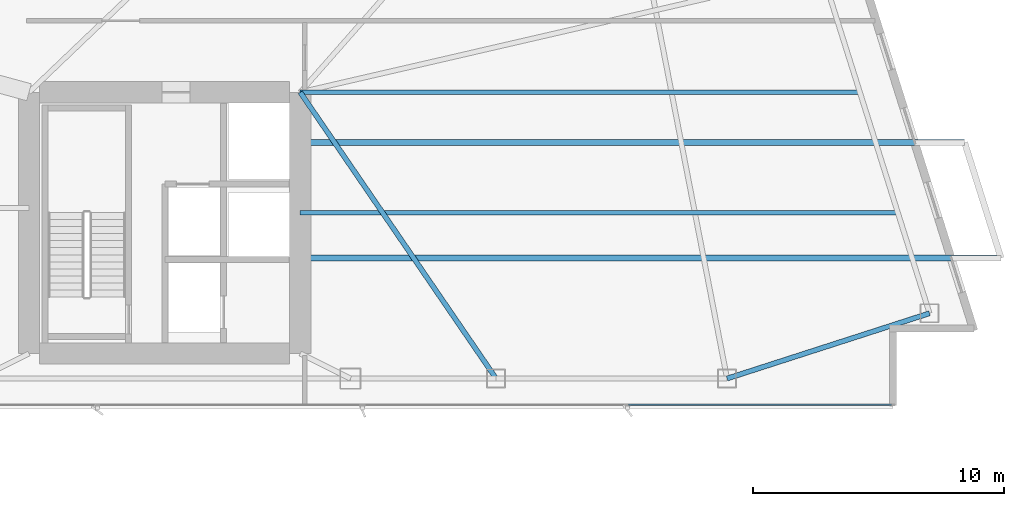
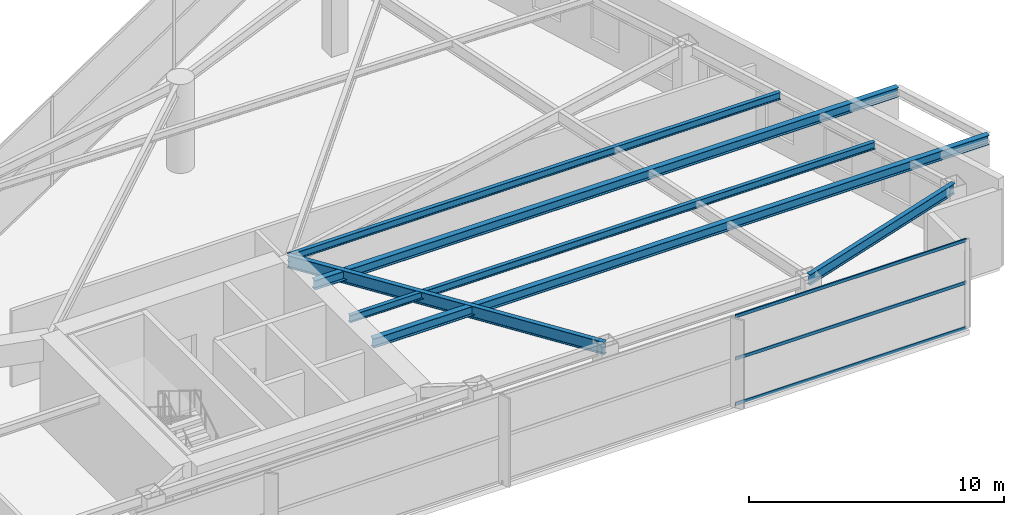
# One storey, part 12 of 26: 6 beams, 3 members, 1 element without a shape of its own.
"""IFC4 building model written with IfcOpenShell, lengths in metres."""

from ifc_helpers import new_model, si_unit, direction, frame, origin, origin_2d, place, context, subcontext, project, spatial, hollow_rectangle, i_section, extrude, material, layer, layer_set, material_profile, profile_set, type_object, element, aggregate, save


model = new_model("IFC4")

# Units and contexts
model_context = context("Model", 3, precision=1e-05, world=origin(), true_north=direction((0.0, 1.0)))
body_context = subcontext(model_context, "Body", "Model", "MODEL_VIEW")
ifc_project = project(units=[si_unit("LENGTHUNIT", "METRE"), si_unit("AREAUNIT", "SQUARE_METRE"), si_unit("VOLUMEUNIT", "CUBIC_METRE"), si_unit("PLANEANGLEUNIT", "RADIAN"), si_unit("MASSUNIT", "GRAM", prefix="KILO")], contexts=[model_context])

# Site, building, storey
site_placement = place(None, origin())
site = spatial("IfcSite", under=ifc_project, at=site_placement, CompositionType="ELEMENT")
building_placement = place(site_placement, origin())
building = spatial("IfcBuilding", under=site, at=building_placement, Name="Calvorn Quay Hotel", CompositionType="ELEMENT")
storey_placement = place(building_placement, frame((0.0, 0.0, 144.0)))
storey = spatial("IfcBuildingStorey", under=building, at=storey_placement, Name="L35", CompositionType="ELEMENT", Elevation=144.0)

# Beams
ifc_material_1 = material(Name="Steel Q355B", Category="steel")
ifc_material_profile_1 = material_profile(ifc_material_1, i_section(OverallWidth=0.25, OverallDepth=0.449951171875, WebThickness=0.011962890625, FlangeThickness=0.01611328125, FilletRadius=0.01611328125, at=origin_2d()), Name="HN450x250x12x16")
ifc_profile_set_1 = profile_set([ifc_material_profile_1], Name="Steel Q355B")
beam_type_1 = type_object("IfcBeamType", Name="BM-CANT-BALC", PredefinedType="BEAM", material=ifc_profile_set_1)
beam_1_placement = place(storey_placement, frame((32.39990234375, 8.39990234375, 4.014892578125), z_axis=(1.0, 0.0, 0.0), x_axis=(0.0, 1.0, 0.0)))
element("IfcBeam", 1, at=beam_1_placement, inside=storey, type_object=beam_type_1, Name="Cantilever Balcony Beam BCB-L36-1A", PredefinedType="BEAM", context=body_context, shape_type="SweptSolid", body=[
    extrude(i_section(OverallWidth=0.25, OverallDepth=0.449951171875, WebThickness=0.011962890625, FlangeThickness=0.01611328125, FilletRadius=0.01611328125, at=origin_2d()), origin(), (0.0, 0.0, 1.0), 27.908203125),
])
beam_2_placement = place(storey_placement, frame((32.39990234375, 13.0, 4.014892578125), z_axis=(1.0, 0.0, 0.0), x_axis=(0.0, 1.0, 0.0)))
element("IfcBeam", 2, at=beam_2_placement, inside=storey, type_object=beam_type_1, Name="Cantilever Balcony Beam BCB-L36-1B", PredefinedType="BEAM", context=body_context, shape_type="SweptSolid", body=[
    extrude(i_section(OverallWidth=0.25, OverallDepth=0.449951171875, WebThickness=0.011962890625, FlangeThickness=0.01611328125, FilletRadius=0.01611328125, at=origin_2d()), origin(), (0.0, 0.0, 1.0), 26.4580078125),
])
ifc_material_2 = material(Name="Steel Q355B", Category="steel")
ifc_material_profile_2 = material_profile(ifc_material_2, i_section(OverallWidth=0.199951171875, OverallDepth=0.60009765625, WebThickness=0.010986328125, FlangeThickness=0.01708984375, FilletRadius=0.01806640625, at=origin_2d()), Name="HN600x200x11x17")
ifc_profile_set_2 = profile_set([ifc_material_profile_2], Name="Steel Q355B")
beam_type_2 = type_object("IfcBeamType", Name="BM-GIRD-TYP", PredefinedType="BEAM", material=ifc_profile_set_2)
beam_3_placement = place(storey_placement, frame((40.199951171875, 3.60009765625, 3.93994140625), z_axis=(-0.564689618177, 0.825303359452, 0.0), x_axis=(-0.825303359452, -0.564689618177, 0.0)))
element("IfcBeam", 3, at=beam_3_placement, inside=storey, type_object=beam_type_2, Name="Beam BG-L35-E6", PredefinedType="BEAM", context=body_context, shape_type="SweptSolid", body=[
    extrude(i_section(OverallWidth=0.199951171875, OverallDepth=0.60009765625, WebThickness=0.010986328125, FlangeThickness=0.01708984375, FilletRadius=0.01806640625, at=origin_2d()), origin(), (0.0, 0.0, 1.0), 13.81298828125),
])
ifc_material_3 = material(Name="Steel Q355B", Category="steel")
ifc_material_profile_3 = material_profile(ifc_material_3, i_section(OverallWidth=0.175048828125, OverallDepth=0.35009765625, WebThickness=0.007080078125, FlangeThickness=0.010986328125, FilletRadius=0.013916015625, at=origin_2d()), Name="HN350x175x7x11")
ifc_profile_set_3 = profile_set([ifc_material_profile_3], Name="Steel Q355B")
beam_type_3 = type_object("IfcBeamType", Name="BM-JOIST-SEC", PredefinedType="JOIST", material=ifc_profile_set_3)
beam_4_placement = place(storey_placement, frame((32.39990234375, 10.199951171875, 4.06494140625), z_axis=(1.0, 0.0, 0.0), x_axis=(0.0, 1.0, 0.0)))
element("IfcBeam", 4, at=beam_4_placement, inside=storey, type_object=beam_type_3, Name="Beam BJ-L35-E1", PredefinedType="JOIST", context=body_context, shape_type="SweptSolid", body=[
    extrude(i_section(OverallWidth=0.175048828125, OverallDepth=0.35009765625, WebThickness=0.007080078125, FlangeThickness=0.010986328125, FilletRadius=0.013916015625, at=origin_2d()), origin(), (0.0, 0.0, 1.0), 23.801025390625),
])
beam_5_placement = place(storey_placement, frame((32.39990234375, 15.0, 4.06494140625), z_axis=(1.0, 0.0, 0.0), x_axis=(0.0, 1.0, 0.0)))
element("IfcBeam", 5, at=beam_5_placement, inside=storey, type_object=beam_type_3, Name="Beam BJ-L35-E2", PredefinedType="JOIST", context=body_context, shape_type="SweptSolid", body=[
    extrude(i_section(OverallWidth=0.175048828125, OverallDepth=0.35009765625, WebThickness=0.007080078125, FlangeThickness=0.010986328125, FilletRadius=0.013916015625, at=origin_2d()), origin(), (0.0, 0.0, 1.0), 22.2880859375),
])
ifc_material_4 = material(Name="Steel Q355B", Category="steel")
ifc_material_profile_4 = material_profile(ifc_material_4, i_section(OverallWidth=0.199951171875, OverallDepth=0.5, WebThickness=0.010009765625, FlangeThickness=0.01611328125, FilletRadius=0.01611328125, at=origin_2d()), Name="HN500x200x10x16")
ifc_profile_set_4 = profile_set([ifc_material_profile_4], Name="Steel Q355B")
beam_type_4 = type_object("IfcBeamType", Name="BM-SPANDREL-Z1", PredefinedType="SPANDREL", material=ifc_profile_set_4)
beam_6_placement = place(storey_placement, frame((49.39990234375, 3.60009765625, 3.989990234375), z_axis=(0.951725188386, 0.306951406237, 0.0), x_axis=(-0.306951406237, 0.951725188386, 0.0)))
element("IfcBeam", 6, at=beam_6_placement, inside=storey, type_object=beam_type_4, Name="Beam BSP-L35-S6", PredefinedType="SPANDREL", context=body_context, shape_type="SweptSolid", body=[
    extrude(i_section(OverallWidth=0.199951171875, OverallDepth=0.5, WebThickness=0.010009765625, FlangeThickness=0.01611328125, FilletRadius=0.01611328125, at=origin_2d()), origin(), (0.0, 0.0, 1.0), 8.469970703125),
])

# Curtain wall, members
ifc_material_5 = material(Name="Pale Anodised Aluminium and Low-E Glass", Category="aluminium")
ifc_layer = layer(ifc_material_5, 0.219970703125)
ifc_layer_set = layer_set([ifc_layer], Name="CW-SYS-Z2")
curtain_wall_type = type_object("IfcCurtainWallType", Name="CW-SYS-Z2", PredefinedType="NOTDEFINED", material=ifc_layer_set)
curtain_wall_placement = place(storey_placement, origin())
curtain_wall = element("IfcCurtainWall", 7, at=curtain_wall_placement, inside=storey, type_object=curtain_wall_type, Name="Tower South Waterfront Curtain Wall (L35)", PredefinedType="NOTDEFINED")
ifc_material_6 = material(Name="Pale Anodised Aluminium 6063-T6", Category="aluminium")
ifc_material_profile_5 = material_profile(ifc_material_6, hollow_rectangle(XDim=0.06005859375, YDim=0.14990234375, WallThickness=0.00341796875, at=origin_2d()), Name="ALU-T150x60x3.5")
ifc_profile_set_5 = profile_set([ifc_material_profile_5], Name="Pale Anodised Aluminium 6063-T6")
member_type = type_object("IfcMemberType", Name="CW-SYS-Z2-TRN", PredefinedType="USERDEFINED", material=ifc_profile_set_5)
member_1_placement = place(storey_placement, frame((45.469970703125, 2.550048828125, 0.030029296875), z_axis=(1.0, 0.0, 0.0), x_axis=(0.0, 1.0, 0.0)))
member_1 = element("IfcMember", 8, at=member_1_placement, type_object=member_type, Name="CW-L35-S transom 5.1", ObjectType="TRANSOM", PredefinedType="USERDEFINED", context=body_context, shape_type="SweptSolid", body=[
    extrude(hollow_rectangle(XDim=0.06005859375, YDim=0.14990234375, WallThickness=0.00341796875, at=origin_2d()), origin(), (0.0, 0.0, 1.0), 10.469970703125),
])
member_2_placement = place(storey_placement, frame((45.469970703125, 2.550048828125, 2.199951171875), z_axis=(1.0, 0.0, 0.0), x_axis=(0.0, 1.0, 0.0)))
member_2 = element("IfcMember", 9, at=member_2_placement, type_object=member_type, Name="CW-L35-S transom 5.2", ObjectType="TRANSOM", PredefinedType="USERDEFINED", context=body_context, shape_type="SweptSolid", body=[
    extrude(hollow_rectangle(XDim=0.06005859375, YDim=0.14990234375, WallThickness=0.00341796875, at=origin_2d()), origin(), (0.0, 0.0, 1.0), 10.469970703125),
])
member_3_placement = place(storey_placement, frame((45.469970703125, 2.550048828125, 4.22998046875), z_axis=(1.0, 0.0, 0.0), x_axis=(0.0, 1.0, 0.0)))
member_3 = element("IfcMember", 10, at=member_3_placement, type_object=member_type, Name="CW-L35-S transom 5.3", ObjectType="TRANSOM", PredefinedType="USERDEFINED", context=body_context, shape_type="SweptSolid", body=[
    extrude(hollow_rectangle(XDim=0.06005859375, YDim=0.14990234375, WallThickness=0.00341796875, at=origin_2d()), origin(), (0.0, 0.0, 1.0), 10.469970703125),
])
aggregate(curtain_wall, [member_1, member_2, member_3])

save(model, "model.ifc")
